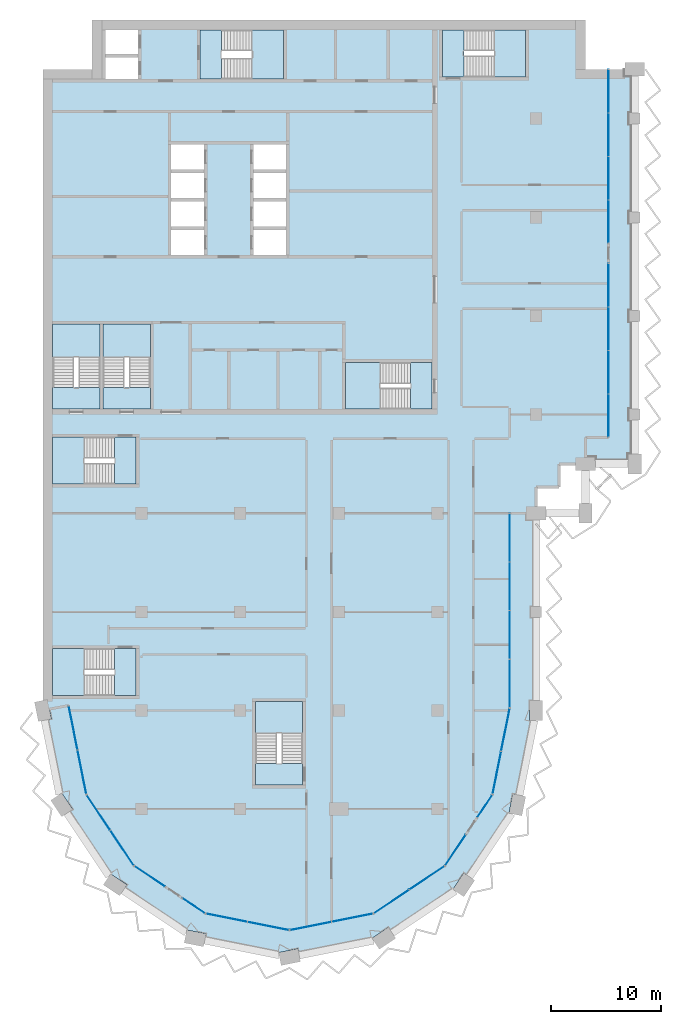
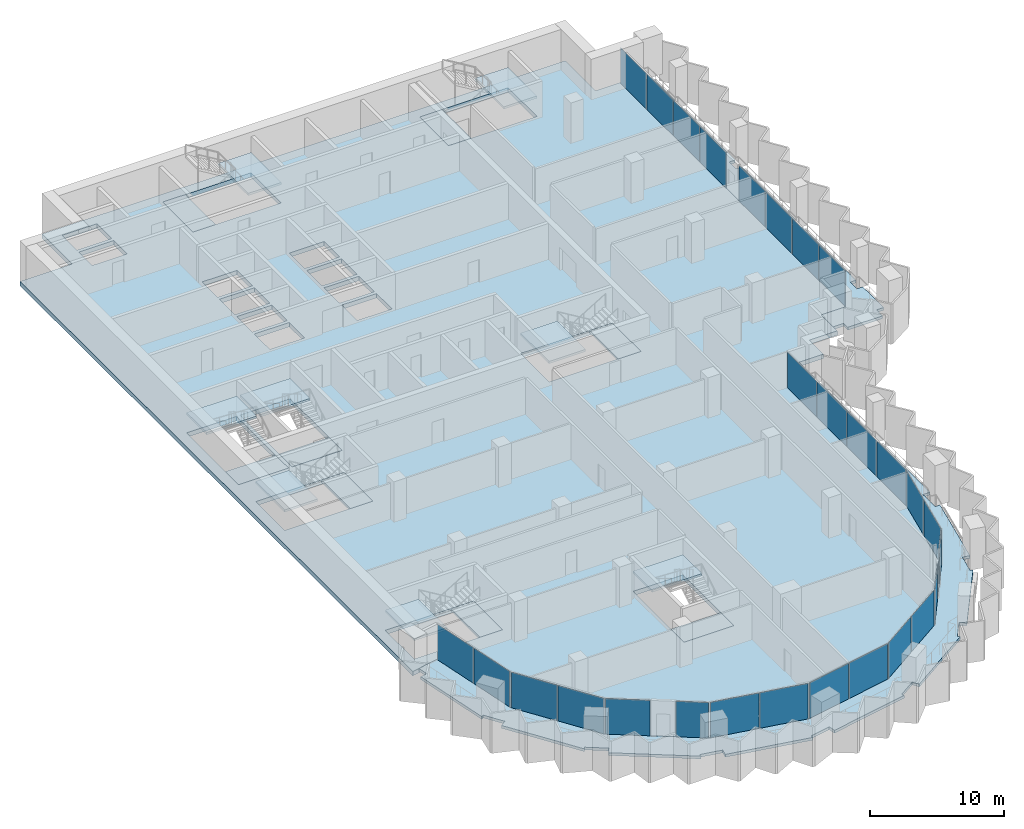
# One storey, part 6 of 17: 28 plates, 19 slabs, 21 elements without a shape of their own.
"""IFC4 building model written with IfcOpenShell, lengths in metres."""

from ifc_helpers import new_model, si_unit, direction, frame, origin, origin_2d, place, context, subcontext, project, spatial, polyline, rectangle, outline, extrude, material, layer, layer_set, type_object, element, aggregate, save


model = new_model("IFC4")

# Units and contexts
model_context = context("Model", 3, precision=1e-05, world=origin(), true_north=direction((0.0, 1.0)))
body_context = subcontext(model_context, "Body", "Model", "MODEL_VIEW")
ifc_project = project(units=[si_unit("LENGTHUNIT", "METRE"), si_unit("AREAUNIT", "SQUARE_METRE"), si_unit("VOLUMEUNIT", "CUBIC_METRE"), si_unit("PLANEANGLEUNIT", "RADIAN"), si_unit("MASSUNIT", "GRAM", prefix="KILO")], contexts=[model_context])

# Site, building, storey
site_placement = place(None, origin())
site = spatial("IfcSite", under=ifc_project, at=site_placement, CompositionType="ELEMENT")
building_placement = place(site_placement, origin())
building = spatial("IfcBuilding", under=site, at=building_placement, Name="Hunhe Ridgeline Campus", CompositionType="ELEMENT")
storey_placement = place(building_placement, frame((0.0, 0.0, 197.60009765625)))
storey = spatial("IfcBuildingStorey", under=building, at=storey_placement, Name="L50", CompositionType="ELEMENT", Elevation=197.60009765625)

# Curtain wall, plates
ifc_material_1 = material(Name="Aluminium 6063", Category="aluminium")
curtain_wall_type_1 = type_object("IfcCurtainWallType", Name="Curtain wall CW-5", PredefinedType="NOTDEFINED", material=ifc_material_1)
curtain_wall_1_placement = place(storey_placement, origin())
curtain_wall_1 = element("IfcCurtainWall", 1, at=curtain_wall_1_placement, inside=storey, type_object=curtain_wall_type_1, Name="Curtain wall 01", PredefinedType="NOTDEFINED")
ifc_material_2 = material(Name="Low-e laminated glass", Category="glass")
ifc_layer_1 = layer(ifc_material_2, 0.028076171875)
ifc_layer_set_1 = layer_set([ifc_layer_1], Name="Curtain wall glass panel 28 low-e laminated")
plate_type = type_object("IfcPlateType", Name="Curtain wall glass panel 28 low-e laminated", PredefinedType="CURTAIN_PANEL", material=ifc_layer_set_1)
plate_1_placement = place(storey_placement, frame((2.76318359375, 34.416015625, 0.0), z_axis=(0.0, 0.0, 1.0), x_axis=(0.195095347137, -0.980784280831, 0.0)))
plate_1 = element("IfcPlate", 2, at=plate_1_placement, type_object=plate_type, Name="CW-5 panel 1", PredefinedType="CURTAIN_PANEL", context=body_context, shape_type="SweptSolid", body=[
    extrude(rectangle(XDim=4.0458984375, YDim=0.028076171875, at=origin_2d()), origin(), (0.0, 0.0, 1.0), 3.22998046875),
])
plate_2_placement = place(storey_placement, frame((3.566162109375, 30.379150390625, 0.0), z_axis=(0.0, 0.0, 1.0), x_axis=(0.195095347137, -0.980784280831, 0.0)))
plate_2 = element("IfcPlate", 3, at=plate_2_placement, type_object=plate_type, Name="CW-5 panel 2", PredefinedType="CURTAIN_PANEL", context=body_context, shape_type="SweptSolid", body=[
    extrude(rectangle(XDim=4.0458984375, YDim=0.028076171875, at=origin_2d()), origin(), (0.0, 0.0, 1.0), 3.22998046875),
])
aggregate(curtain_wall_1, [plate_1, plate_2])

curtain_wall_2_placement = place(storey_placement, origin())
curtain_wall_2 = element("IfcCurtainWall", 4, at=curtain_wall_2_placement, inside=storey, type_object=curtain_wall_type_1, Name="Curtain wall 02", PredefinedType="NOTDEFINED")
plate_3_placement = place(storey_placement, frame((5.07080078125, 26.685546875, 0.0), z_axis=(0.0, 0.0, 1.0), x_axis=(0.555570274596, -0.831469584522, 0.0)))
plate_3 = element("IfcPlate", 5, at=plate_3_placement, type_object=plate_type, Name="CW-5 panel 1", PredefinedType="CURTAIN_PANEL", context=body_context, shape_type="SweptSolid", body=[
    extrude(rectangle(XDim=3.806884765625, YDim=0.028076171875, at=origin_2d()), origin(), (0.0, 0.0, 1.0), 3.22998046875),
])
plate_4_placement = place(storey_placement, frame((7.224609375, 23.4619140625, 0.0), z_axis=(0.0, 0.0, 1.0), x_axis=(0.555570274596, -0.831469584522, 0.0)))
plate_4 = element("IfcPlate", 6, at=plate_4_placement, type_object=plate_type, Name="CW-5 panel 2", PredefinedType="CURTAIN_PANEL", context=body_context, shape_type="SweptSolid", body=[
    extrude(rectangle(XDim=3.806884765625, YDim=0.028076171875, at=origin_2d()), origin(), (0.0, 0.0, 1.0), 3.22998046875),
])
aggregate(curtain_wall_2, [plate_3, plate_4])

# Curtain wall, plate
curtain_wall_3_placement = place(storey_placement, origin())
curtain_wall_3 = element("IfcCurtainWall", 7, at=curtain_wall_3_placement, inside=storey, type_object=curtain_wall_type_1, Name="Curtain wall 03", PredefinedType="NOTDEFINED")
plate_5_placement = place(storey_placement, frame((9.76025390625, 20.859375, 0.0), z_axis=(0.0, 0.0, 1.0), x_axis=(0.831469595944, -0.555570257501, 0.0)))
plate_5 = element("IfcPlate", 8, at=plate_5_placement, type_object=plate_type, Name="CW-5 panel 1", PredefinedType="CURTAIN_PANEL", context=body_context, shape_type="SweptSolid", body=[
    extrude(rectangle(XDim=3.322021484375, YDim=0.028076171875, at=origin_2d()), origin(), (0.0, 0.0, 1.0), 3.22998046875),
])
aggregate(curtain_wall_3, [plate_5])

curtain_wall_4_placement = place(storey_placement, origin())
curtain_wall_4 = element("IfcCurtainWall", 9, at=curtain_wall_4_placement, inside=storey, type_object=curtain_wall_type_1, Name="Curtain wall 04", PredefinedType="NOTDEFINED")
plate_6_placement = place(storey_placement, frame((13.761474609375, 18.18603515625, 0.0), z_axis=(0.0, 0.0, 1.0), x_axis=(0.831469510353, -0.555570385598, 0.0)))
plate_6 = element("IfcPlate", 10, at=plate_6_placement, type_object=plate_type, Name="CW-5 panel 1", PredefinedType="CURTAIN_PANEL", context=body_context, shape_type="SweptSolid", body=[
    extrude(rectangle(XDim=2.421875, YDim=0.028076171875, at=origin_2d()), origin(), (0.0, 0.0, 1.0), 3.22998046875),
])
aggregate(curtain_wall_4, [plate_6])

# Curtain wall, plates
curtain_wall_5_placement = place(storey_placement, origin())
curtain_wall_5 = element("IfcCurtainWall", 11, at=curtain_wall_5_placement, inside=storey, type_object=curtain_wall_type_1, Name="Curtain wall 05", PredefinedType="NOTDEFINED")
plate_7_placement = place(storey_placement, frame((16.761962890625, 17.08935546875, 0.0), z_axis=(0.0, 0.0, 1.0), x_axis=(0.980785275326, -0.195090347539, 0.0)))
plate_7 = element("IfcPlate", 12, at=plate_7_placement, type_object=plate_type, Name="CW-5 panel 1", PredefinedType="CURTAIN_PANEL", context=body_context, shape_type="SweptSolid", body=[
    extrude(rectangle(XDim=3.806884765625, YDim=0.028076171875, at=origin_2d()), origin(), (0.0, 0.0, 1.0), 3.22998046875),
])
plate_8_placement = place(storey_placement, frame((20.564453125, 16.3330078125, 0.0), z_axis=(0.0, 0.0, 1.0), x_axis=(0.980785275326, -0.195090347539, 0.0)))
plate_8 = element("IfcPlate", 13, at=plate_8_placement, type_object=plate_type, Name="CW-5 panel 2", PredefinedType="CURTAIN_PANEL", context=body_context, shape_type="SweptSolid", body=[
    extrude(rectangle(XDim=3.806884765625, YDim=0.028076171875, at=origin_2d()), origin(), (0.0, 0.0, 1.0), 3.22998046875),
])
aggregate(curtain_wall_5, [plate_7, plate_8])

curtain_wall_6_placement = place(storey_placement, origin())
curtain_wall_6 = element("IfcCurtainWall", 14, at=curtain_wall_6_placement, inside=storey, type_object=curtain_wall_type_1, Name="Curtain wall 06", PredefinedType="NOTDEFINED")
plate_9_placement = place(storey_placement, frame((24.435546875, 16.3330078125, 0.0), z_axis=(0.0, 0.0, 1.0), x_axis=(0.980785275326, 0.195090347539, 0.0)))
plate_9 = element("IfcPlate", 15, at=plate_9_placement, type_object=plate_type, Name="CW-5 panel 1", PredefinedType="CURTAIN_PANEL", context=body_context, shape_type="SweptSolid", body=[
    extrude(rectangle(XDim=3.806884765625, YDim=0.028076171875, at=origin_2d()), origin(), (0.0, 0.0, 1.0), 3.22998046875),
])
plate_10_placement = place(storey_placement, frame((28.238037109375, 17.08935546875, 0.0), z_axis=(0.0, 0.0, 1.0), x_axis=(0.980785275326, 0.195090347539, 0.0)))
plate_10 = element("IfcPlate", 16, at=plate_10_placement, type_object=plate_type, Name="CW-5 panel 2", PredefinedType="CURTAIN_PANEL", context=body_context, shape_type="SweptSolid", body=[
    extrude(rectangle(XDim=3.806884765625, YDim=0.028076171875, at=origin_2d()), origin(), (0.0, 0.0, 1.0), 3.22998046875),
])
aggregate(curtain_wall_6, [plate_9, plate_10])

curtain_wall_7_placement = place(storey_placement, origin())
curtain_wall_7 = element("IfcCurtainWall", 17, at=curtain_wall_7_placement, inside=storey, type_object=curtain_wall_type_1, Name="Curtain wall 07", PredefinedType="NOTDEFINED")
plate_11_placement = place(storey_placement, frame((31.814453125, 18.57080078125, 0.0), z_axis=(0.0, 0.0, 1.0), x_axis=(0.831469584522, 0.555570274596, 0.0)))
plate_11 = element("IfcPlate", 18, at=plate_11_placement, type_object=plate_type, Name="CW-5 panel 1", PredefinedType="CURTAIN_PANEL", context=body_context, shape_type="SweptSolid", body=[
    extrude(rectangle(XDim=3.806884765625, YDim=0.028076171875, at=origin_2d()), origin(), (0.0, 0.0, 1.0), 3.22998046875),
])
plate_12_placement = place(storey_placement, frame((35.0380859375, 20.724609375, 0.0), z_axis=(0.0, 0.0, 1.0), x_axis=(0.831469584522, 0.555570274596, 0.0)))
plate_12 = element("IfcPlate", 19, at=plate_12_placement, type_object=plate_type, Name="CW-5 panel 2", PredefinedType="CURTAIN_PANEL", context=body_context, shape_type="SweptSolid", body=[
    extrude(rectangle(XDim=3.806884765625, YDim=0.028076171875, at=origin_2d()), origin(), (0.0, 0.0, 1.0), 3.22998046875),
])
aggregate(curtain_wall_7, [plate_11, plate_12])

# Curtain wall, plate
curtain_wall_8_placement = place(storey_placement, origin())
curtain_wall_8 = element("IfcCurtainWall", 20, at=curtain_wall_8_placement, inside=storey, type_object=curtain_wall_type_1, Name="Curtain wall 08", PredefinedType="NOTDEFINED")
plate_13_placement = place(storey_placement, frame((37.640625, 23.26025390625, 0.0), z_axis=(0.0, 0.0, 1.0), x_axis=(0.555570257501, 0.831469595944, 0.0)))
plate_13 = element("IfcPlate", 21, at=plate_13_placement, type_object=plate_type, Name="CW-5 panel 1", PredefinedType="CURTAIN_PANEL", context=body_context, shape_type="SweptSolid", body=[
    extrude(rectangle(XDim=3.322021484375, YDim=0.028076171875, at=origin_2d()), origin(), (0.0, 0.0, 1.0), 3.22998046875),
])
aggregate(curtain_wall_8, [plate_13])

curtain_wall_9_placement = place(storey_placement, origin())
curtain_wall_9 = element("IfcCurtainWall", 22, at=curtain_wall_9_placement, inside=storey, type_object=curtain_wall_type_1, Name="Curtain wall 09", PredefinedType="NOTDEFINED")
plate_14_placement = place(storey_placement, frame((40.31396484375, 27.261474609375, 0.0), z_axis=(0.0, 0.0, 1.0), x_axis=(0.555570385598, 0.831469510353, 0.0)))
plate_14 = element("IfcPlate", 23, at=plate_14_placement, type_object=plate_type, Name="CW-5 panel 1", PredefinedType="CURTAIN_PANEL", context=body_context, shape_type="SweptSolid", body=[
    extrude(rectangle(XDim=2.421875, YDim=0.028076171875, at=origin_2d()), origin(), (0.0, 0.0, 1.0), 3.22998046875),
])
aggregate(curtain_wall_9, [plate_14])

# Curtain wall, plates
curtain_wall_10_placement = place(storey_placement, origin())
curtain_wall_10 = element("IfcCurtainWall", 24, at=curtain_wall_10_placement, inside=storey, type_object=curtain_wall_type_1, Name="Curtain wall 10", PredefinedType="NOTDEFINED")
plate_15_placement = place(storey_placement, frame((41.42236328125, 30.321044921875, 0.0), z_axis=(0.0, 0.0, 1.0), x_axis=(0.195090299215, 0.980785284939, 0.0)))
plate_15 = element("IfcPlate", 25, at=plate_15_placement, type_object=plate_type, Name="CW-5 panel 1", PredefinedType="CURTAIN_PANEL", context=body_context, shape_type="SweptSolid", body=[
    extrude(rectangle(XDim=3.927490234375, YDim=0.028076171875, at=origin_2d()), origin(), (0.0, 0.0, 1.0), 3.22998046875),
])
plate_16_placement = place(storey_placement, frame((42.2021484375, 34.24169921875, 0.0), z_axis=(0.0, 0.0, 1.0), x_axis=(0.195090299215, 0.980785284939, 0.0)))
plate_16 = element("IfcPlate", 26, at=plate_16_placement, type_object=plate_type, Name="CW-5 panel 2", PredefinedType="CURTAIN_PANEL", context=body_context, shape_type="SweptSolid", body=[
    extrude(rectangle(XDim=3.927490234375, YDim=0.028076171875, at=origin_2d()), origin(), (0.0, 0.0, 1.0), 3.22998046875),
])
aggregate(curtain_wall_10, [plate_15, plate_16])

curtain_wall_type_2 = type_object("IfcCurtainWallType", Name="Curtain wall CW-1", PredefinedType="NOTDEFINED", material=ifc_material_1)
curtain_wall_11_placement = place(storey_placement, origin())
curtain_wall_11 = element("IfcCurtainWall", 27, at=curtain_wall_11_placement, inside=storey, type_object=curtain_wall_type_2, Name="Curtain wall 11", PredefinedType="NOTDEFINED")
plate_17_placement = place(storey_placement, frame((42.59912109375, 38.471923828125, 0.0), z_axis=(0.0, 0.0, 1.0), x_axis=(6.642653e-06, 0.999999999978, 0.0)))
plate_17 = element("IfcPlate", 28, at=plate_17_placement, type_object=plate_type, Name="CW-1 panel 1", PredefinedType="CURTAIN_PANEL", context=body_context, shape_type="SweptSolid", body=[
    extrude(rectangle(XDim=4.35107421875, YDim=0.028076171875, at=origin_2d()), origin(), (0.0, 0.0, 1.0), 3.239990234375),
])
plate_18_placement = place(storey_placement, frame((42.59912109375, 42.89794921875, 0.0), z_axis=(0.0, 0.0, 1.0), x_axis=(6.642653e-06, 0.999999999978, 0.0)))
plate_18 = element("IfcPlate", 29, at=plate_18_placement, type_object=plate_type, Name="CW-1 panel 2", PredefinedType="CURTAIN_PANEL", context=body_context, shape_type="SweptSolid", body=[
    extrude(rectangle(XDim=4.381103515625, YDim=0.028076171875, at=origin_2d()), origin(), (0.0, 0.0, 1.0), 3.239990234375),
])
plate_19_placement = place(storey_placement, frame((42.59912109375, 47.3388671875, 0.0), z_axis=(0.0, 0.0, 1.0), x_axis=(6.642653e-06, 0.999999999978, 0.0)))
plate_19 = element("IfcPlate", 30, at=plate_19_placement, type_object=plate_type, Name="CW-1 panel 3", PredefinedType="CURTAIN_PANEL", context=body_context, shape_type="SweptSolid", body=[
    extrude(rectangle(XDim=4.381103515625, YDim=0.028076171875, at=origin_2d()), origin(), (0.0, 0.0, 1.0), 3.239990234375),
])
plate_20_placement = place(storey_placement, frame((42.59912109375, 51.764892578125, 0.0), z_axis=(0.0, 0.0, 1.0), x_axis=(6.642653e-06, 0.999999999978, 0.0)))
plate_20 = element("IfcPlate", 31, at=plate_20_placement, type_object=plate_type, Name="CW-1 panel 4", PredefinedType="CURTAIN_PANEL", context=body_context, shape_type="SweptSolid", body=[
    extrude(rectangle(XDim=4.35107421875, YDim=0.028076171875, at=origin_2d()), origin(), (0.0, 0.0, 1.0), 3.239990234375),
])
aggregate(curtain_wall_11, [plate_17, plate_18, plate_19, plate_20])

curtain_wall_12_placement = place(storey_placement, origin())
curtain_wall_12 = element("IfcCurtainWall", 32, at=curtain_wall_12_placement, inside=storey, type_object=curtain_wall_type_2, Name="Curtain wall 12", PredefinedType="NOTDEFINED")
plate_21_placement = place(storey_placement, frame((51.59912109375, 62.9033203125, 0.0), z_axis=(0.0, 0.0, 1.0), x_axis=(0.0, 1.0, 0.0)))
plate_21 = element("IfcPlate", 33, at=plate_21_placement, type_object=plate_type, Name="CW-1 panel 1", PredefinedType="CURTAIN_PANEL", context=body_context, shape_type="SweptSolid", body=[
    extrude(rectangle(XDim=3.884765625, YDim=0.028076171875, at=origin_2d()), origin(), (0.0, 0.0, 1.0), 3.239990234375),
])
plate_22_placement = place(storey_placement, frame((51.59912109375, 66.86328125, 0.0), z_axis=(0.0, 0.0, 1.0), x_axis=(0.0, 1.0, 0.0)))
plate_22 = element("IfcPlate", 34, at=plate_22_placement, type_object=plate_type, Name="CW-1 panel 2", PredefinedType="CURTAIN_PANEL", context=body_context, shape_type="SweptSolid", body=[
    extrude(rectangle(XDim=3.914794921875, YDim=0.028076171875, at=origin_2d()), origin(), (0.0, 0.0, 1.0), 3.239990234375),
])
plate_23_placement = place(storey_placement, frame((51.59912109375, 70.838134765625, 0.0), z_axis=(0.0, 0.0, 1.0), x_axis=(0.0, 1.0, 0.0)))
plate_23 = element("IfcPlate", 35, at=plate_23_placement, type_object=plate_type, Name="CW-1 panel 3", PredefinedType="CURTAIN_PANEL", context=body_context, shape_type="SweptSolid", body=[
    extrude(rectangle(XDim=3.914794921875, YDim=0.028076171875, at=origin_2d()), origin(), (0.0, 0.0, 1.0), 3.239990234375),
])
plate_24_placement = place(storey_placement, frame((51.59912109375, 74.798095703125, 0.0), z_axis=(0.0, 0.0, 1.0), x_axis=(0.0, 1.0, 0.0)))
plate_24 = element("IfcPlate", 36, at=plate_24_placement, type_object=plate_type, Name="CW-1 panel 4", PredefinedType="CURTAIN_PANEL", context=body_context, shape_type="SweptSolid", body=[
    extrude(rectangle(XDim=3.884765625, YDim=0.028076171875, at=origin_2d()), origin(), (0.0, 0.0, 1.0), 3.239990234375),
])
aggregate(curtain_wall_12, [plate_21, plate_22, plate_23, plate_24])

curtain_wall_13_placement = place(storey_placement, origin())
curtain_wall_13 = element("IfcCurtainWall", 37, at=curtain_wall_13_placement, inside=storey, type_object=curtain_wall_type_2, Name="Curtain wall 13", PredefinedType="NOTDEFINED")
plate_25_placement = place(storey_placement, frame((51.59912109375, 80.60302734375, 0.0), z_axis=(0.0, 0.0, 1.0), x_axis=(0.0, 1.0, 0.0)))
plate_25 = element("IfcPlate", 38, at=plate_25_placement, type_object=plate_type, Name="CW-1 panel 1", PredefinedType="CURTAIN_PANEL", context=body_context, shape_type="SweptSolid", body=[
    extrude(rectangle(XDim=3.884765625, YDim=0.028076171875, at=origin_2d()), origin(), (0.0, 0.0, 1.0), 3.239990234375),
])
plate_26_placement = place(storey_placement, frame((51.59912109375, 84.562744140625, 0.0), z_axis=(0.0, 0.0, 1.0), x_axis=(0.0, 1.0, 0.0)))
plate_26 = element("IfcPlate", 39, at=plate_26_placement, type_object=plate_type, Name="CW-1 panel 2", PredefinedType="CURTAIN_PANEL", context=body_context, shape_type="SweptSolid", body=[
    extrude(rectangle(XDim=3.914794921875, YDim=0.028076171875, at=origin_2d()), origin(), (0.0, 0.0, 1.0), 3.239990234375),
])
plate_27_placement = place(storey_placement, frame((51.59912109375, 88.53759765625, 0.0), z_axis=(0.0, 0.0, 1.0), x_axis=(0.0, 1.0, 0.0)))
plate_27 = element("IfcPlate", 40, at=plate_27_placement, type_object=plate_type, Name="CW-1 panel 3", PredefinedType="CURTAIN_PANEL", context=body_context, shape_type="SweptSolid", body=[
    extrude(rectangle(XDim=3.914794921875, YDim=0.028076171875, at=origin_2d()), origin(), (0.0, 0.0, 1.0), 3.239990234375),
])
plate_28_placement = place(storey_placement, frame((51.59912109375, 92.49755859375, 0.0), z_axis=(0.0, 0.0, 1.0), x_axis=(0.0, 1.0, 0.0)))
plate_28 = element("IfcPlate", 41, at=plate_28_placement, type_object=plate_type, Name="CW-1 panel 4", PredefinedType="CURTAIN_PANEL", context=body_context, shape_type="SweptSolid", body=[
    extrude(rectangle(XDim=3.884765625, YDim=0.028076171875, at=origin_2d()), origin(), (0.0, 0.0, 1.0), 3.239990234375),
])
aggregate(curtain_wall_13, [plate_25, plate_26, plate_27, plate_28])

# Slabs
ifc_material_3 = material(Name="Concrete C40", Category="concrete")
ifc_layer_2 = layer(ifc_material_3, 0.39990234375)
ifc_layer_set_2 = layer_set([ifc_layer_2], Name="Floor slab 400 Concrete C40")
slab_type_1 = type_object("IfcSlabType", Name="Floor slab 400 Concrete C40", PredefinedType="FLOOR", material=ifc_layer_set_2)
slab_1_placement = place(storey_placement, frame((0.0, 0.0, -0.400146484375)))
element("IfcSlab", 42, at=slab_1_placement, inside=storey, type_object=slab_type_1, Name="Floor slab L50 1", PredefinedType="FLOOR", context=body_context, shape_type="SweptSolid", body=[
    extrude(outline(polyline([(30.173583984375, 17.474365234375), (36.678955078125, 21.821044921875), (41.025634765625, 28.326416015625), (42.59912109375, 36.236572265625), (42.59912109375, 54.00048828125), (44.9990234375, 54.0009765625), (44.999267578125, 56.400634765625), (47.09912109375, 56.40087890625), (47.099609375, 58.5009765625), (49.4990234375, 58.5009765625), (49.49951171875, 60.90087890625), (51.59912109375, 60.90087890625), (51.59912109375, 94.5), (49.5, 94.5), (49.5, 99.0), (4.5, 99.0), (4.5, 94.5), (0.0, 94.5), (0.0, 36.0009765625), (2.354736328125, 36.46875), (3.974365234375, 28.326416015625), (8.321044921875, 21.821044921875), (14.826416015625, 17.474365234375), (22.5, 15.947998046875), (30.173583984375, 17.474365234375)]), holes=[polyline([(36.449951171875, 93.800048828125), (44.050048828125, 93.800048828125), (44.050048828125, 98.10009765625), (36.449951171875, 98.10009765625), (36.449951171875, 93.800048828125)]), polyline([(35.5, 63.5), (35.5, 67.75), (27.60009765625, 67.75), (27.60009765625, 63.5), (35.5, 63.5)]), polyline([(19.39990234375, 29.199951171875), (23.699951171875, 29.199951171875), (23.699951171875, 36.800048828125), (19.39990234375, 36.800048828125), (19.39990234375, 29.199951171875)]), polyline([(22.199951171875, 80.14990234375), (22.199951171875, 82.449951171875), (19.199951171875, 82.449951171875), (19.199951171875, 80.14990234375), (22.199951171875, 80.14990234375)]), polyline([(22.199951171875, 79.85009765625), (19.199951171875, 79.85009765625), (19.199951171875, 77.550048828125), (22.199951171875, 77.550048828125), (22.199951171875, 79.85009765625)]), polyline([(19.199951171875, 87.64990234375), (19.199951171875, 85.35009765625), (22.199951171875, 85.35009765625), (22.199951171875, 87.64990234375), (19.199951171875, 87.64990234375)]), polyline([(19.199951171875, 82.75), (22.199951171875, 82.75), (22.199951171875, 85.050048828125), (19.199951171875, 85.050048828125), (19.199951171875, 82.75)]), polyline([(14.35009765625, 93.60009765625), (21.949951171875, 93.60009765625), (21.949951171875, 98.10009765625), (14.35009765625, 98.10009765625), (14.35009765625, 93.60009765625)]), polyline([(14.699951171875, 79.85009765625), (11.699951171875, 79.85009765625), (11.699951171875, 77.550048828125), (14.699951171875, 77.550048828125), (14.699951171875, 79.85009765625)]), polyline([(14.699951171875, 80.14990234375), (14.699951171875, 82.449951171875), (11.699951171875, 82.449951171875), (11.699951171875, 80.14990234375), (14.699951171875, 80.14990234375)]), polyline([(11.699951171875, 87.64990234375), (11.699951171875, 85.35009765625), (14.699951171875, 85.35009765625), (14.699951171875, 87.64990234375), (11.699951171875, 87.64990234375)]), polyline([(11.699951171875, 82.75), (14.699951171875, 82.75), (14.699951171875, 85.050048828125), (11.699951171875, 85.050048828125), (11.699951171875, 82.75)]), polyline([(9.800048828125, 71.25), (5.5, 71.25), (5.5, 63.5), (9.800048828125, 63.5), (9.800048828125, 71.25)]), polyline([(8.699951171875, 95.89990234375), (8.699951171875, 98.10009765625), (5.699951171875, 98.10009765625), (5.699951171875, 95.89990234375), (8.699951171875, 95.89990234375)]), polyline([(8.699951171875, 95.60009765625), (5.699951171875, 95.60009765625), (5.699951171875, 93.60009765625), (8.699951171875, 93.60009765625), (8.699951171875, 95.60009765625)]), polyline([(0.89990234375, 37.35009765625), (8.5, 37.35009765625), (8.5, 41.64990234375), (0.89990234375, 41.64990234375), (0.89990234375, 37.35009765625)]), polyline([(0.89990234375, 60.949951171875), (0.89990234375, 56.64990234375), (8.5, 56.64990234375), (8.5, 60.949951171875), (0.89990234375, 60.949951171875)]), polyline([(0.89990234375, 71.25), (0.89990234375, 63.5), (5.199951171875, 63.5), (5.199951171875, 71.25), (0.89990234375, 71.25)])]), origin(), (0.0, 0.0, 1.0), 0.400146484375),
])
ifc_layer_3 = layer(ifc_material_3, 0.25)
ifc_layer_set_3 = layer_set([ifc_layer_3], Name="Loggia slab 250 Concrete C40")
slab_type_2 = type_object("IfcSlabType", Name="Loggia slab 250 Concrete C40", PredefinedType="FLOOR", material=ifc_layer_set_3)
slab_2_placement = place(storey_placement, frame((0.0, 0.0, -0.25)))
element("IfcSlab", 43, at=slab_2_placement, inside=storey, type_object=slab_type_2, Name="Loggia slab 1", PredefinedType="FLOOR", context=body_context, shape_type="SweptSolid", body=[
    extrude(outline(polyline([(30.173828125, 17.473388671875), (22.5, 15.947021484375), (14.826171875, 17.473388671875), (8.3203125, 21.8203125), (3.973388671875, 28.326171875), (2.35400390625, 36.46826171875), (0.58837890625, 36.116943359375), (0.76416015625, 35.234375), (0.175537109375, 35.1171875), (1.522705078125, 28.344970703125), (1.711669921875, 28.47119140625), (2.711669921875, 26.974609375), (2.212646484375, 26.641357421875), (6.048828125, 20.900146484375), (6.175048828125, 21.089111328125), (7.671875, 20.0888671875), (7.33837890625, 19.590087890625), (13.07958984375, 15.75390625), (13.1240234375, 15.976806640625), (14.889404296875, 15.62548828125), (14.772216796875, 15.037109375), (21.544677734375, 13.68994140625), (21.500244140625, 13.912841796875), (23.265625, 14.26416015625), (23.3828125, 13.675537109375), (30.155029296875, 15.022705078125), (30.02880859375, 15.211669921875), (31.525390625, 16.211669921875), (31.858642578125, 15.712646484375), (37.599853515625, 19.548828125), (37.410888671875, 19.675048828125), (38.4111328125, 21.171875), (38.909912109375, 20.83837890625), (42.74609375, 26.57958984375), (42.523193359375, 26.6240234375), (42.87451171875, 28.389404296875), (43.462890625, 28.272216796875), (44.821044921875, 35.10009765625), (44.39990234375, 35.10009765625), (44.39990234375, 36.89990234375), (45.0, 36.89990234375), (45.0, 44.5), (44.5, 44.5), (44.5, 45.5), (45.0, 45.5), (45.0, 53.39990234375), (44.10009765625, 53.39990234375), (44.10009765625, 54.0), (42.60009765625, 54.0), (42.60009765625, 36.236328125), (41.026611328125, 28.326171875), (36.6796875, 21.8203125), (30.173828125, 17.473388671875)])), origin(), (0.0, 0.0, 1.0), 0.25),
])
slab_3_placement = place(storey_placement, frame((0.0, 0.0, -0.25)))
element("IfcSlab", 44, at=slab_3_placement, inside=storey, type_object=slab_type_2, Name="Loggia slab 2", PredefinedType="FLOOR", context=body_context, shape_type="SweptSolid", body=[
    extrude(outline(polyline([(49.5, 59.10009765625), (50.39990234375, 59.10009765625), (50.39990234375, 58.5), (53.39990234375, 58.5), (53.39990234375, 59.39990234375), (54.0, 59.39990234375), (54.0, 62.5), (53.5, 62.5), (53.5, 63.5), (54.0, 63.5), (54.0, 71.5), (53.5, 71.5), (53.5, 72.5), (54.0, 72.5), (54.0, 80.5), (53.5, 80.5), (53.5, 81.5), (54.0, 81.5), (54.0, 89.5), (53.5, 89.5), (53.5, 90.5), (54.0, 90.5), (54.0, 93.89990234375), (53.10009765625, 93.89990234375), (53.10009765625, 94.5), (51.60009765625, 94.5), (51.60009765625, 60.89990234375), (49.5, 60.89990234375), (49.5, 59.10009765625)])), origin(), (0.0, 0.0, 1.0), 0.25),
])

# Stair, slab
stair_type = type_object("IfcStairType", Name="Reinforced concrete dog-leg stair 1950 Concrete C40", PredefinedType="HALF_TURN_STAIR", material=ifc_material_3)
stair_1_placement = place(storey_placement, origin())
stair_1 = element("IfcStair", 45, at=stair_1_placement, inside=storey, type_object=stair_type, Name="L50 S1", PredefinedType="HALF_TURN_STAIR")
ifc_layer_4 = layer(ifc_material_3, 0.199951171875)
ifc_layer_set_4 = layer_set([ifc_layer_4], Name="Reinforced concrete stair landing 200 Concrete C40")
slab_type_3 = type_object("IfcSlabType", Name="Reinforced concrete stair landing 200 Concrete C40", PredefinedType="LANDING", material=ifc_layer_set_4)
slab_4_placement = place(storey_placement, frame((0.0, 0.0, 1.64990234375)))
slab_4 = element("IfcSlab", 46, at=slab_4_placement, type_object=slab_type_3, Name="ST1 landing 1", PredefinedType="LANDING", context=body_context, shape_type="SweptSolid", body=[
    extrude(outline(polyline([(19.10009765625, 93.60009765625), (21.949951171875, 93.60009765625), (21.949951171875, 98.10009765625), (19.10009765625, 98.10009765625), (19.10009765625, 93.60009765625)])), origin(), (0.0, 0.0, 1.0), 0.199951171875),
])
aggregate(stair_1, [slab_4])

# Slab
slab_5_placement = place(storey_placement, frame((0.0, 0.0, -0.2001953125)))
element("IfcSlab", 47, at=slab_5_placement, inside=storey, type_object=slab_type_3, Name="L50 stair S1 floor landing", PredefinedType="LANDING", context=body_context, shape_type="SweptSolid", body=[
    extrude(outline(polyline([(14.35009765625, 93.60009765625), (16.300048828125, 93.60009765625), (16.300048828125, 98.10009765625), (14.35009765625, 98.10009765625), (14.35009765625, 93.60009765625)])), origin(), (0.0, 0.0, 1.0), 0.2001953125),
])

# Stair, slab
stair_2_placement = place(storey_placement, origin())
stair_2 = element("IfcStair", 48, at=stair_2_placement, inside=storey, type_object=stair_type, Name="L50 S2", PredefinedType="HALF_TURN_STAIR")
slab_6_placement = place(storey_placement, frame((0.0, 0.0, 1.64990234375)))
slab_6 = element("IfcSlab", 49, at=slab_6_placement, type_object=slab_type_3, Name="ST2 landing 1", PredefinedType="LANDING", context=body_context, shape_type="SweptSolid", body=[
    extrude(outline(polyline([(30.75, 67.75), (27.60009765625, 67.75), (27.60009765625, 63.5), (30.75, 63.5), (30.75, 67.75)])), origin(), (0.0, 0.0, 1.0), 0.199951171875),
])
aggregate(stair_2, [slab_6])

# Slab
slab_7_placement = place(storey_placement, frame((0.0, 0.0, -0.2001953125)))
element("IfcSlab", 50, at=slab_7_placement, inside=storey, type_object=slab_type_3, Name="L50 stair S2 floor landing", PredefinedType="LANDING", context=body_context, shape_type="SweptSolid", body=[
    extrude(outline(polyline([(35.5, 67.75), (33.550048828125, 67.75), (33.550048828125, 63.5), (35.5, 63.5), (35.5, 67.75)])), origin(), (0.0, 0.0, 1.0), 0.2001953125),
])

# Stair, slab
stair_3_placement = place(storey_placement, origin())
stair_3 = element("IfcStair", 51, at=stair_3_placement, inside=storey, type_object=stair_type, Name="L50 S3", PredefinedType="HALF_TURN_STAIR")
slab_8_placement = place(storey_placement, frame((0.0, 0.0, 1.64990234375)))
slab_8 = element("IfcSlab", 52, at=slab_8_placement, type_object=slab_type_3, Name="ST3 landing 1", PredefinedType="LANDING", context=body_context, shape_type="SweptSolid", body=[
    extrude(outline(polyline([(5.199951171875, 68.25), (5.199951171875, 71.25), (0.89990234375, 71.25), (0.89990234375, 68.25), (5.199951171875, 68.25)])), origin(), (0.0, 0.0, 1.0), 0.199951171875),
])
aggregate(stair_3, [slab_8])

# Slab
slab_9_placement = place(storey_placement, frame((0.0, 0.0, -0.2001953125)))
element("IfcSlab", 53, at=slab_9_placement, inside=storey, type_object=slab_type_3, Name="L50 stair S3 floor landing", PredefinedType="LANDING", context=body_context, shape_type="SweptSolid", body=[
    extrude(outline(polyline([(5.199951171875, 63.5), (5.199951171875, 65.449951171875), (0.89990234375, 65.449951171875), (0.89990234375, 63.5), (5.199951171875, 63.5)])), origin(), (0.0, 0.0, 1.0), 0.2001953125),
])

# Stair, slab
stair_4_placement = place(storey_placement, origin())
stair_4 = element("IfcStair", 54, at=stair_4_placement, inside=storey, type_object=stair_type, Name="L50 S4", PredefinedType="HALF_TURN_STAIR")
slab_10_placement = place(storey_placement, frame((0.0, 0.0, 1.64990234375)))
slab_10 = element("IfcSlab", 55, at=slab_10_placement, type_object=slab_type_3, Name="ST4 landing 1", PredefinedType="LANDING", context=body_context, shape_type="SweptSolid", body=[
    extrude(outline(polyline([(9.800048828125, 68.25), (9.800048828125, 71.25), (5.5, 71.25), (5.5, 68.25), (9.800048828125, 68.25)])), origin(), (0.0, 0.0, 1.0), 0.199951171875),
])
aggregate(stair_4, [slab_10])

# Slab
slab_11_placement = place(storey_placement, frame((0.0, 0.0, -0.2001953125)))
element("IfcSlab", 56, at=slab_11_placement, inside=storey, type_object=slab_type_3, Name="L50 stair S4 floor landing", PredefinedType="LANDING", context=body_context, shape_type="SweptSolid", body=[
    extrude(outline(polyline([(9.800048828125, 63.5), (9.800048828125, 65.449951171875), (5.5, 65.449951171875), (5.5, 63.5), (9.800048828125, 63.5)])), origin(), (0.0, 0.0, 1.0), 0.2001953125),
])

# Stair, slab
stair_5_placement = place(storey_placement, origin())
stair_5 = element("IfcStair", 57, at=stair_5_placement, inside=storey, type_object=stair_type, Name="L50 E1", PredefinedType="HALF_TURN_STAIR")
slab_12_placement = place(storey_placement, frame((0.0, 0.0, 1.64990234375)))
slab_12 = element("IfcSlab", 58, at=slab_12_placement, type_object=slab_type_3, Name="ST5 landing 1", PredefinedType="LANDING", context=body_context, shape_type="SweptSolid", body=[
    extrude(outline(polyline([(41.199951171875, 93.800048828125), (44.050048828125, 93.800048828125), (44.050048828125, 98.10009765625), (41.199951171875, 98.10009765625), (41.199951171875, 93.800048828125)])), origin(), (0.0, 0.0, 1.0), 0.199951171875),
])
aggregate(stair_5, [slab_12])

# Slab
slab_13_placement = place(storey_placement, frame((0.0, 0.0, -0.2001953125)))
element("IfcSlab", 59, at=slab_13_placement, inside=storey, type_object=slab_type_3, Name="L50 stair E1 floor landing", PredefinedType="LANDING", context=body_context, shape_type="SweptSolid", body=[
    extrude(outline(polyline([(36.449951171875, 93.800048828125), (38.39990234375, 93.800048828125), (38.39990234375, 98.10009765625), (36.449951171875, 98.10009765625), (36.449951171875, 93.800048828125)])), origin(), (0.0, 0.0, 1.0), 0.2001953125),
])

# Stair, slab
stair_6_placement = place(storey_placement, origin())
stair_6 = element("IfcStair", 60, at=stair_6_placement, inside=storey, type_object=stair_type, Name="L50 W3", PredefinedType="HALF_TURN_STAIR")
slab_14_placement = place(storey_placement, frame((0.0, 0.0, 1.64990234375)))
slab_14 = element("IfcSlab", 61, at=slab_14_placement, type_object=slab_type_3, Name="ST9 landing 1", PredefinedType="LANDING", context=body_context, shape_type="SweptSolid", body=[
    extrude(outline(polyline([(23.699951171875, 33.949951171875), (23.699951171875, 36.800048828125), (19.39990234375, 36.800048828125), (19.39990234375, 33.949951171875), (23.699951171875, 33.949951171875)])), origin(), (0.0, 0.0, 1.0), 0.199951171875),
])
aggregate(stair_6, [slab_14])

# Slab
slab_15_placement = place(storey_placement, frame((0.0, 0.0, -0.2001953125)))
element("IfcSlab", 62, at=slab_15_placement, inside=storey, type_object=slab_type_3, Name="L50 stair W3 floor landing", PredefinedType="LANDING", context=body_context, shape_type="SweptSolid", body=[
    extrude(outline(polyline([(23.699951171875, 29.199951171875), (23.699951171875, 31.14990234375), (19.39990234375, 31.14990234375), (19.39990234375, 29.199951171875), (23.699951171875, 29.199951171875)])), origin(), (0.0, 0.0, 1.0), 0.2001953125),
])

# Stair, slab
stair_7_placement = place(storey_placement, origin())
stair_7 = element("IfcStair", 63, at=stair_7_placement, inside=storey, type_object=stair_type, Name="L50 W1", PredefinedType="HALF_TURN_STAIR")
slab_16_placement = place(storey_placement, frame((0.0, 0.0, 1.64990234375)))
slab_16 = element("IfcSlab", 64, at=slab_16_placement, type_object=slab_type_3, Name="ST11 landing 1", PredefinedType="LANDING", context=body_context, shape_type="SweptSolid", body=[
    extrude(outline(polyline([(3.75, 41.64990234375), (0.89990234375, 41.64990234375), (0.89990234375, 37.35009765625), (3.75, 37.35009765625), (3.75, 41.64990234375)])), origin(), (0.0, 0.0, 1.0), 0.199951171875),
])
aggregate(stair_7, [slab_16])

# Slab
slab_17_placement = place(storey_placement, frame((0.0, 0.0, -0.2001953125)))
element("IfcSlab", 65, at=slab_17_placement, inside=storey, type_object=slab_type_3, Name="L50 stair W1 floor landing", PredefinedType="LANDING", context=body_context, shape_type="SweptSolid", body=[
    extrude(outline(polyline([(8.5, 41.64990234375), (6.550048828125, 41.64990234375), (6.550048828125, 37.35009765625), (8.5, 37.35009765625), (8.5, 41.64990234375)])), origin(), (0.0, 0.0, 1.0), 0.2001953125),
])

# Stair, slab
stair_8_placement = place(storey_placement, origin())
stair_8 = element("IfcStair", 66, at=stair_8_placement, inside=storey, type_object=stair_type, Name="L50 W2", PredefinedType="HALF_TURN_STAIR")
slab_18_placement = place(storey_placement, frame((0.0, 0.0, 1.64990234375)))
slab_18 = element("IfcSlab", 67, at=slab_18_placement, type_object=slab_type_3, Name="ST12 landing 1", PredefinedType="LANDING", context=body_context, shape_type="SweptSolid", body=[
    extrude(outline(polyline([(3.75, 60.949951171875), (0.89990234375, 60.949951171875), (0.89990234375, 56.64990234375), (3.75, 56.64990234375), (3.75, 60.949951171875)])), origin(), (0.0, 0.0, 1.0), 0.199951171875),
])
aggregate(stair_8, [slab_18])

# Slab
slab_19_placement = place(storey_placement, frame((0.0, 0.0, -0.2001953125)))
element("IfcSlab", 68, at=slab_19_placement, inside=storey, type_object=slab_type_3, Name="L50 stair W2 floor landing", PredefinedType="LANDING", context=body_context, shape_type="SweptSolid", body=[
    extrude(outline(polyline([(8.5, 60.949951171875), (6.550048828125, 60.949951171875), (6.550048828125, 56.64990234375), (8.5, 56.64990234375), (8.5, 60.949951171875)])), origin(), (0.0, 0.0, 1.0), 0.2001953125),
])

save(model, "model.ifc")
